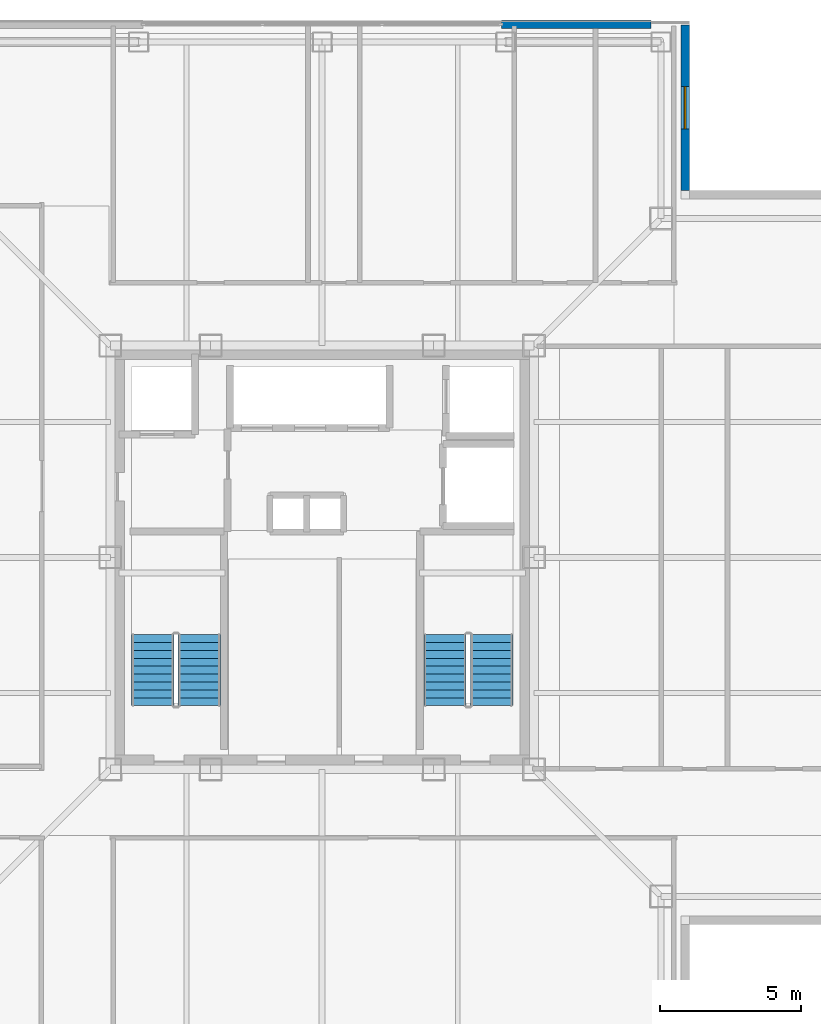
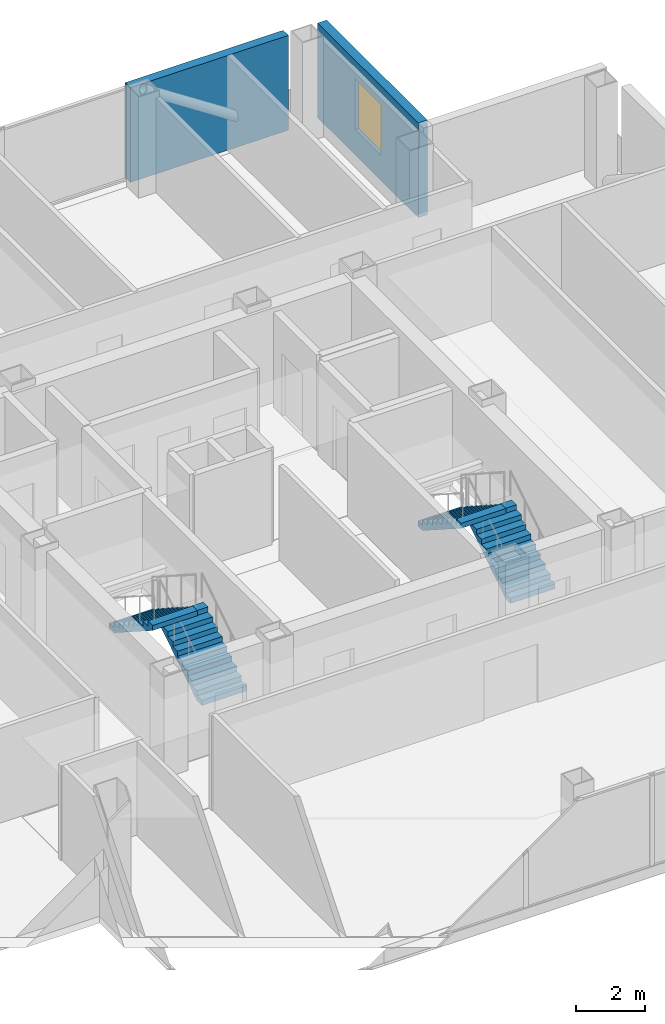
# One storey, part 10 of 16: 4 stair flights, 2 walls, 1 window, 1 opening, 2 elements without a shape of their own.
"""IFC4 building model written with IfcOpenShell, lengths in metres."""

from ifc_helpers import new_model, si_unit, direction, frame, frame_2d, origin, place, context, subcontext, project, spatial, polyline, rectangle, outline, extrude, material, layer, layer_set, type_object, element, fill, aggregate, save


model = new_model("IFC4")

# Units and contexts
model_context = context("Model", 3, precision=1e-05, world=origin(), true_north=direction((0.0, 1.0)))
body_context = subcontext(model_context, "Body", "Model", "MODEL_VIEW")
ifc_project = project(units=[si_unit("LENGTHUNIT", "METRE"), si_unit("AREAUNIT", "SQUARE_METRE"), si_unit("VOLUMEUNIT", "CUBIC_METRE"), si_unit("PLANEANGLEUNIT", "RADIAN"), si_unit("MASSUNIT", "GRAM", prefix="KILO")], contexts=[model_context])

# Site, building, storey
site_placement = place(None, origin())
site = spatial("IfcSite", under=ifc_project, at=site_placement, CompositionType="ELEMENT")
building_placement = place(site_placement, origin())
building = spatial("IfcBuilding", under=site, at=building_placement, Name="Trevonay Congress Spire", CompositionType="ELEMENT")
storey_placement = place(building_placement, frame((0.0, 0.0, 246.800048828125)))
storey = spatial("IfcBuildingStorey", under=building, at=storey_placement, Name="L64", CompositionType="ELEMENT", Elevation=246.800048828125)

# Wall
ifc_material_1 = material(Name="Precast concrete C40/50", Category="concrete")
ifc_layer = layer(ifc_material_1, 0.300048828125, Name="Precast concrete C40/50")
ifc_layer_set = layer_set([ifc_layer], Name="Precast concrete C40/50")
wall_type = type_object("IfcWallType", Name="WAL-EXT-PRECAST-300", PredefinedType="SOLIDWALL", material=ifc_layer_set)
wall_1_placement = place(storey_placement, frame((6.35009765625, 18.8798828125, 0.0), z_axis=(0.0, 0.0, 1.0), x_axis=(1.0, 0.0, 0.0)))
element("IfcWall", 1, at=wall_1_placement, inside=storey, type_object=wall_type, Name="L64 NR braced-bay exterior pier wall", PredefinedType="SOLIDWALL", context=body_context, shape_type="SweptSolid", body=[
    extrude(rectangle(XDim=5.2998046875, YDim=0.300048828125, at=frame_2d((2.64990234375, 0.0))), origin(), (0.0, 0.0, 1.0), 3.35986328125),
])

# Wall, opening, window
wall_2_placement = place(storey_placement, frame((12.85009765625, 18.85009765625, 0.0), z_axis=(0.0, 0.0, 1.0), x_axis=(0.0, -1.0, 0.0)))
wall_2 = element("IfcWall", 2, at=wall_2_placement, inside=storey, type_object=wall_type, Name="L64 NE re-entrant notch exterior wall 1", PredefinedType="SOLIDWALL", context=body_context, shape_type="SweptSolid", body=[
    extrude(rectangle(XDim=5.85009765625, YDim=0.300048828125, at=frame_2d((2.925048828125, 0.0))), origin(), (0.0, 0.0, 1.0), 3.35986328125),
])
opening_placement = place(wall_2_placement, frame((2.175048828125, 0.0, 0.89990234375)))
opening = element("IfcOpeningElement", 3, at=opening_placement, cuts=wall_2, Name="Opening WN03", PredefinedType="OPENING", context=body_context, shape_type="SweptSolid", body=[
    extrude(rectangle(XDim=1.5, YDim=1.800048828125, at=frame_2d((0.75, 0.89990234375))), frame((0.0, 0.16015625, 0.0), z_axis=(0.0, -1.0, 0.0), x_axis=(1.0, 0.0, 0.0)), (0.0, 0.0, 1.0), 0.320068359375),
])
ifc_material_2 = material(Name="Insulated Low-E Vision Glass IGU", Category="glass")
window_type = type_object("IfcWindowType", Name="WIN-NOTCH-150X180", PartitioningType="SINGLE_PANEL", PredefinedType="WINDOW", material=ifc_material_2)
window_placement = place(opening_placement, origin())
window = element("IfcWindow", 4, at=window_placement, inside=storey, type_object=window_type, Name="L64 NE corner notch window", OverallHeight=1.800048828125, OverallWidth=1.5, PartitioningType="SINGLE_PANEL", PredefinedType="WINDOW", context=body_context, shape_type="SweptSolid", body=[
    extrude(rectangle(XDim=1.5, YDim=1.800048828125, at=frame_2d((0.75, 0.89990234375))), frame((0.0, 0.030029296875, 0.0), z_axis=(0.0, -1.0, 0.0), x_axis=(1.0, 0.0, 0.0)), (0.0, 0.0, 1.0), 0.06005859375),
])
fill(opening, window)

# Stair, stair flights
ifc_material_3 = material(Name="Concrete C40/50", Category="concrete")
stair_type_1 = type_object("IfcStairType", Name="STR-ST-1", PredefinedType="HALF_TURN_STAIR", material=ifc_material_3)
stair_1_placement = place(storey_placement, origin())
stair_1 = element("IfcStair", 5, at=stair_1_placement, inside=storey, type_object=stair_type_1, Name="L64 Protected Exit Stair ST-1", PredefinedType="HALF_TURN_STAIR")
stair_flight_type_1 = type_object("IfcStairFlightType", Name="SFL-ST-1", PredefinedType="STRAIGHT", material=ifc_material_3)
stair_flight_1_placement = place(storey_placement, frame((-4.35009765625, -5.25, 0.0), z_axis=(0.0, 0.0, 1.0), x_axis=(0.0, 1.0, 0.0)))
stair_flight_1 = element("IfcStairFlight", 6, at=stair_flight_1_placement, type_object=stair_flight_type_1, Name="ST-1 flight 1", NumberOfRisers=10, NumberOfTreads=9, PredefinedType="STRAIGHT", RiserHeight=0.18, TreadLength=0.28, context=body_context, shape_type="SweptSolid", body=[
    extrude(outline(polyline([(0.0, 0.0), (0.0, 0.179931640625), (0.280029296875, 0.179931640625), (0.280029296875, 0.360107421875), (0.56005859375, 0.360107421875), (0.56005859375, 0.5400390625), (0.840087890625, 0.5400390625), (0.840087890625, 0.719970703125), (1.1201171875, 0.719970703125), (1.1201171875, 0.89990234375), (1.39990234375, 0.89990234375), (1.39990234375, 1.080078125), (1.679931640625, 1.080078125), (1.679931640625, 1.260009765625), (1.9599609375, 1.260009765625), (1.9599609375, 1.43994140625), (2.239990234375, 1.43994140625), (2.239990234375, 1.6201171875), (2.52001953125, 1.6201171875), (2.52001953125, 1.800048828125), (2.52001953125, 1.44189453125), (0.277099609375, 0.0), (0.0, 0.0)])), frame((0.0, 0.75, 0.0), z_axis=(0.0, -1.0, 0.0), x_axis=(1.0, 0.0, 0.0)), (0.0, 0.0, 1.0), 1.5),
])
stair_flight_2_placement = place(storey_placement, frame((-6.0, -2.72998046875, 1.800048828125), z_axis=(0.0, 0.0, 1.0), x_axis=(0.0, -1.0, 0.0)))
stair_flight_2 = element("IfcStairFlight", 7, at=stair_flight_2_placement, type_object=stair_flight_type_1, Name="ST-1 flight 2", NumberOfRisers=10, NumberOfTreads=9, PredefinedType="STRAIGHT", RiserHeight=0.18, TreadLength=0.28, context=body_context, shape_type="SweptSolid", body=[
    extrude(outline(polyline([(0.0, 0.0), (0.0, 0.179931640625), (0.280029296875, 0.179931640625), (0.280029296875, 0.360107421875), (0.56005859375, 0.360107421875), (0.56005859375, 0.5400390625), (0.840087890625, 0.5400390625), (0.840087890625, 0.719970703125), (1.1201171875, 0.719970703125), (1.1201171875, 0.89990234375), (1.39990234375, 0.89990234375), (1.39990234375, 1.080078125), (1.679931640625, 1.080078125), (1.679931640625, 1.260009765625), (1.9599609375, 1.260009765625), (1.9599609375, 1.43994140625), (2.239990234375, 1.43994140625), (2.239990234375, 1.6201171875), (2.52001953125, 1.6201171875), (2.52001953125, 1.800048828125), (2.52001953125, 1.44189453125), (0.277099609375, 0.0), (0.0, 0.0)])), frame((0.0, 0.75, 0.0), z_axis=(0.0, -1.0, 0.0), x_axis=(1.0, 0.0, 0.0)), (0.0, 0.0, 1.0), 1.5),
])
aggregate(stair_1, [stair_flight_1, stair_flight_2])

stair_type_2 = type_object("IfcStairType", Name="STR-ST-2", PredefinedType="HALF_TURN_STAIR", material=ifc_material_3)
stair_2_placement = place(storey_placement, origin())
stair_2 = element("IfcStair", 8, at=stair_2_placement, inside=storey, type_object=stair_type_2, Name="L64 Protected Exit Stair ST-2", PredefinedType="HALF_TURN_STAIR")
stair_flight_type_2 = type_object("IfcStairFlightType", Name="SFL-ST-2", PredefinedType="STRAIGHT", material=ifc_material_3)
stair_flight_3_placement = place(storey_placement, frame((6.0, -5.25, 0.0), z_axis=(0.0, 0.0, 1.0), x_axis=(0.0, 1.0, 0.0)))
stair_flight_3 = element("IfcStairFlight", 9, at=stair_flight_3_placement, type_object=stair_flight_type_2, Name="ST-2 flight 1", NumberOfRisers=10, NumberOfTreads=9, PredefinedType="STRAIGHT", RiserHeight=0.18, TreadLength=0.28, context=body_context, shape_type="SweptSolid", body=[
    extrude(outline(polyline([(0.0, 0.0), (0.0, 0.179931640625), (0.280029296875, 0.179931640625), (0.280029296875, 0.360107421875), (0.56005859375, 0.360107421875), (0.56005859375, 0.5400390625), (0.840087890625, 0.5400390625), (0.840087890625, 0.719970703125), (1.1201171875, 0.719970703125), (1.1201171875, 0.89990234375), (1.39990234375, 0.89990234375), (1.39990234375, 1.080078125), (1.679931640625, 1.080078125), (1.679931640625, 1.260009765625), (1.9599609375, 1.260009765625), (1.9599609375, 1.43994140625), (2.239990234375, 1.43994140625), (2.239990234375, 1.6201171875), (2.52001953125, 1.6201171875), (2.52001953125, 1.800048828125), (2.52001953125, 1.44189453125), (0.277099609375, 0.0), (0.0, 0.0)])), frame((0.0, 0.75, 0.0), z_axis=(0.0, -1.0, 0.0), x_axis=(1.0, 0.0, 0.0)), (0.0, 0.0, 1.0), 1.5),
])
stair_flight_4_placement = place(storey_placement, frame((4.35009765625, -2.72998046875, 1.800048828125), z_axis=(0.0, 0.0, 1.0), x_axis=(0.0, -1.0, 0.0)))
stair_flight_4 = element("IfcStairFlight", 10, at=stair_flight_4_placement, type_object=stair_flight_type_2, Name="ST-2 flight 2", NumberOfRisers=10, NumberOfTreads=9, PredefinedType="STRAIGHT", RiserHeight=0.18, TreadLength=0.28, context=body_context, shape_type="SweptSolid", body=[
    extrude(outline(polyline([(0.0, 0.0), (0.0, 0.179931640625), (0.280029296875, 0.179931640625), (0.280029296875, 0.360107421875), (0.56005859375, 0.360107421875), (0.56005859375, 0.5400390625), (0.840087890625, 0.5400390625), (0.840087890625, 0.719970703125), (1.1201171875, 0.719970703125), (1.1201171875, 0.89990234375), (1.39990234375, 0.89990234375), (1.39990234375, 1.080078125), (1.679931640625, 1.080078125), (1.679931640625, 1.260009765625), (1.9599609375, 1.260009765625), (1.9599609375, 1.43994140625), (2.239990234375, 1.43994140625), (2.239990234375, 1.6201171875), (2.52001953125, 1.6201171875), (2.52001953125, 1.800048828125), (2.52001953125, 1.44189453125), (0.277099609375, 0.0), (0.0, 0.0)])), frame((0.0, 0.75, 0.0), z_axis=(0.0, -1.0, 0.0), x_axis=(1.0, 0.0, 0.0)), (0.0, 0.0, 1.0), 1.5),
])
aggregate(stair_2, [stair_flight_3, stair_flight_4])

save(model, "model.ifc")
